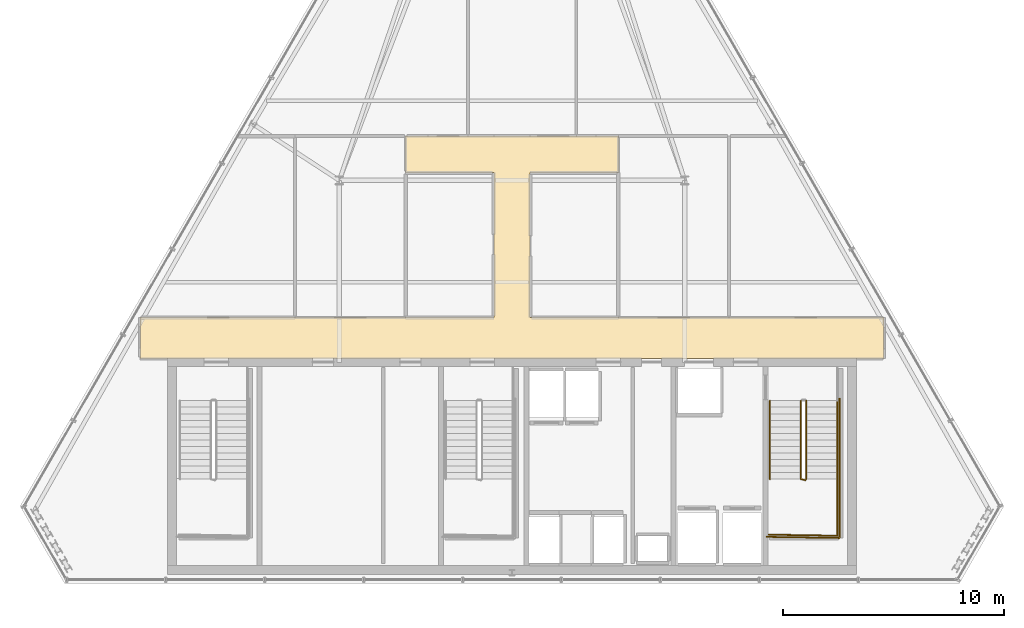
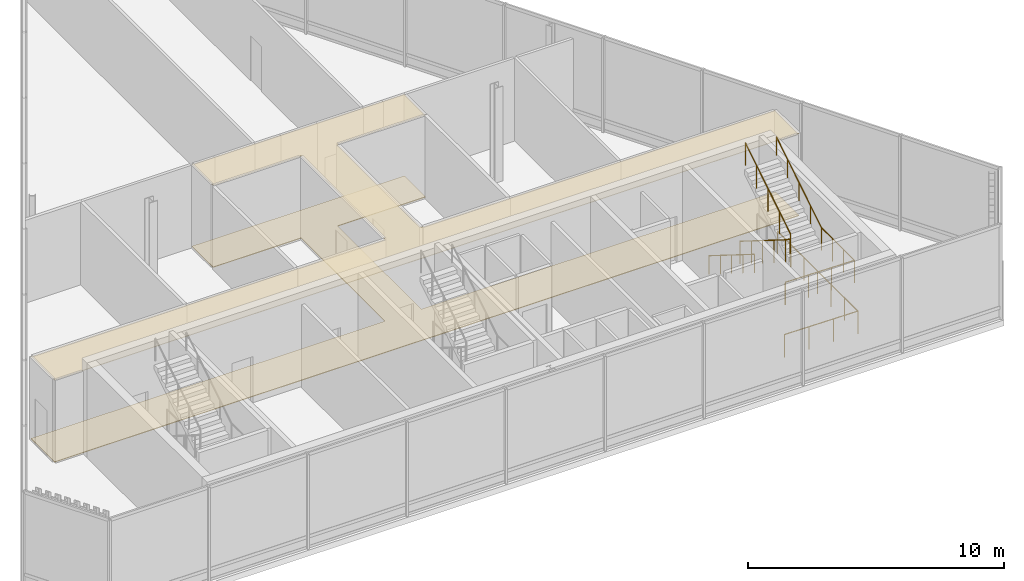
# One storey, part 24 of 25: 6 railings, 2 coverings.
"""IFC4 building model written with IfcOpenShell, lengths in metres."""

from ifc_helpers import new_model, si_unit, direction, frame, origin, origin_2d, place, context, subcontext, project, spatial, polyline, circle, outline, extrude, material, layer, layer_set, type_object, element, save


model = new_model("IFC4")

# Units and contexts
model_context = context("Model", 3, precision=1e-05, world=origin(), true_north=direction((0.0, 1.0)))
body_context = subcontext(model_context, "Body", "Model", "MODEL_VIEW")
ifc_project = project(units=[si_unit("LENGTHUNIT", "METRE"), si_unit("AREAUNIT", "SQUARE_METRE"), si_unit("VOLUMEUNIT", "CUBIC_METRE"), si_unit("PLANEANGLEUNIT", "RADIAN"), si_unit("MASSUNIT", "GRAM", prefix="KILO")], contexts=[model_context])

# Site, building, storey
site_placement = place(None, origin())
site = spatial("IfcSite", under=ifc_project, at=site_placement, CompositionType="ELEMENT")
building_placement = place(site_placement, origin())
building = spatial("IfcBuilding", under=site, at=building_placement, Name="Ndaravel Arena Tower", CompositionType="ELEMENT")
storey_placement = place(building_placement, frame((0.0, 0.0, 298.5)))
storey = spatial("IfcBuildingStorey", under=building, at=storey_placement, Name="L73", CompositionType="ELEMENT", Elevation=298.5)

# Coverings
ifc_material_1 = material(Name="Acoustic Ceiling Tile", Category="finish")
ifc_layer_1 = layer(ifc_material_1, 0.02490234375)
ifc_layer_set_1 = layer_set([ifc_layer_1], Name="Acoustic Ceiling Tile")
covering_type_1 = type_object("IfcCoveringType", Name="COV-CEIL-AC600", PredefinedType="CEILING", material=ifc_layer_set_1)
covering_1_placement = place(storey_placement, frame((0.0, 0.0, 3.92041015625)))
element("IfcCovering", 1, at=covering_1_placement, inside=storey, type_object=covering_type_1, Name="L73 Corridor Acoustic Ceiling", PredefinedType="CEILING", context=body_context, shape_type="SweptSolid", body=[
    extrude(outline(polyline([(58.80908203125, 17.0), (42.820068359375, 17.0), (42.820068359375, 23.550048828125), (46.800048828125, 23.550048828125), (46.800048828125, 25.199951171875), (42.820068359375, 25.199951171875), (41.179931640625, 25.199951171875), (37.199951171875, 25.199951171875), (37.199951171875, 23.550048828125), (41.179931640625, 23.550048828125), (41.179931640625, 17.0), (25.19091796875, 17.0), (25.19091796875, 15.14990234375), (58.80908203125, 15.14990234375), (58.80908203125, 17.0)])), origin(), (0.0, 0.0, 1.0), 0.025146484375),
])
ifc_material_2 = material(Name="Terrazzo", Category="stone")
ifc_layer_2 = layer(ifc_material_2, 0.030029296875)
ifc_layer_set_2 = layer_set([ifc_layer_2], Name="Terrazzo")
covering_type_2 = type_object("IfcCoveringType", Name="COV-FLOOR-TERRAZZO", PredefinedType="FLOORING", material=ifc_layer_set_2)
covering_2_placement = place(storey_placement, origin())
element("IfcCovering", 2, at=covering_2_placement, inside=storey, type_object=covering_type_2, Name="L73 Corridor Terrazzo Flooring", PredefinedType="FLOORING", context=body_context, shape_type="SweptSolid", body=[
    extrude(outline(polyline([(58.80908203125, 17.0), (42.820068359375, 17.0), (42.820068359375, 23.550048828125), (46.800048828125, 23.550048828125), (46.800048828125, 25.199951171875), (42.820068359375, 25.199951171875), (41.179931640625, 25.199951171875), (37.199951171875, 25.199951171875), (37.199951171875, 23.550048828125), (41.179931640625, 23.550048828125), (41.179931640625, 17.0), (25.19091796875, 17.0), (25.19091796875, 15.14990234375), (58.80908203125, 15.14990234375), (58.80908203125, 17.0)])), origin(), (0.0, 0.0, 1.0), 0.030029296875),
])

# Railings
ifc_material_3 = material(Name="Steel S355", Category="steel")
ifc_layer_3 = layer(ifc_material_3, 0.06005859375)
ifc_layer_set_3 = layer_set([ifc_layer_3], Name="Steel S355")
railing_type_1 = type_object("IfcRailingType", Name="RAIL-STAIR-GD1100", PredefinedType="GUARDRAIL", material=ifc_layer_set_3)
railing_1_placement = place(storey_placement, frame((55.050048828125, 13.25, 0.1845703125)))
element("IfcRailing", 3, at=railing_1_placement, inside=storey, type_object=railing_type_1, Name="L73 ST-3 stair guard 1", PredefinedType="GUARDRAIL", context=body_context, shape_type="SweptSolid", body=[
    extrude(circle(Radius=0.02392578125, at=origin_2d()), frame((0.0, 0.0, 1.076171875), z_axis=(0.0, -0.847696004112, 0.530482313194), x_axis=(1.0, 0.0, 0.0)), (0.0, 0.0, 1.0), 4.176025390625),
    extrude(circle(Radius=0.02392578125, at=origin_2d()), frame((0.0, -3.5400390625, 3.29150390625), z_axis=(0.966993988697, -0.254799187253, 0.0), x_axis=(0.254799187253, 0.966993988697, 0.0)), (0.0, 0.0, 1.0), 0.196533203125),
    extrude(circle(Radius=0.02099609375, at=origin_2d()), origin(), (0.0, 0.0, 1.0), 1.052001953125),
    extrude(circle(Radius=0.02099609375, at=origin_2d()), frame((0.0, -0.885009765625, 0.5537109375)), (0.0, 0.0, 1.0), 1.052001953125),
    extrude(circle(Radius=0.02099609375, at=origin_2d()), frame((0.0, -1.77001953125, 1.107666015625)), (0.0, 0.0, 1.0), 1.052001953125),
    extrude(circle(Radius=0.02099609375, at=origin_2d()), frame((0.0, -2.655029296875, 1.66162109375)), (0.0, 0.0, 1.0), 1.052001953125),
    extrude(circle(Radius=0.02099609375, at=origin_2d()), frame((0.0, -3.5400390625, 2.21533203125)), (0.0, 0.0, 1.0), 1.052001953125),
    extrude(circle(Radius=0.02099609375, at=origin_2d()), frame((0.18994140625, -3.590087890625, 2.21533203125)), (0.0, 0.0, 1.0), 1.052001953125),
])
railing_2_placement = place(storey_placement, frame((56.68994140625, 9.7099609375, 2.39990234375)))
element("IfcRailing", 4, at=railing_2_placement, inside=storey, type_object=railing_type_1, Name="L73 ST-3 stair guard 2", PredefinedType="GUARDRAIL", context=body_context, shape_type="SweptSolid", body=[
    extrude(circle(Radius=0.02392578125, at=origin_2d()), frame((0.0, 0.0, 1.076171875), z_axis=(0.0, -1.0, 0.0), x_axis=(1.0, 0.0, 0.0)), (0.0, 0.0, 1.0), 2.56005859375),
    extrude(circle(Radius=0.02392578125, at=origin_2d()), frame((0.0, -2.56005859375, 1.076171875), z_axis=(-0.999868840623, 0.016195726322, 0.0), x_axis=(-0.016195726322, -0.999868840623, 0.0)), (0.0, 0.0, 1.0), 3.09033203125),
    extrude(circle(Radius=0.02099609375, at=origin_2d()), origin(), (0.0, 0.0, 1.0), 1.052001953125),
    extrude(circle(Radius=0.02099609375, at=origin_2d()), frame((0.0, -0.853271484375, 0.0)), (0.0, 0.0, 1.0), 1.052001953125),
    extrude(circle(Radius=0.02099609375, at=origin_2d()), frame((0.0, -1.706787109375, 0.0)), (0.0, 0.0, 1.0), 1.052001953125),
    extrude(circle(Radius=0.02099609375, at=origin_2d()), frame((0.0, -2.56005859375, 0.0)), (0.0, 0.0, 1.0), 1.052001953125),
    extrude(circle(Radius=0.02099609375, at=origin_2d()), frame((-1.030029296875, -2.54345703125, 0.0)), (0.0, 0.0, 1.0), 1.052001953125),
    extrude(circle(Radius=0.02099609375, at=origin_2d()), frame((-2.059814453125, -2.526611328125, 0.0)), (0.0, 0.0, 1.0), 1.052001953125),
    extrude(circle(Radius=0.02099609375, at=origin_2d()), frame((-3.08984375, -2.510009765625, 0.0)), (0.0, 0.0, 1.0), 1.052001953125),
])
railing_3_placement = place(storey_placement, frame((55.2900390625, 9.7099609375, 2.584716796875)))
element("IfcRailing", 5, at=railing_3_placement, inside=storey, type_object=railing_type_1, Name="L73 ST-3 stair guard 3", PredefinedType="GUARDRAIL", context=body_context, shape_type="SweptSolid", body=[
    extrude(circle(Radius=0.02392578125, at=origin_2d()), frame((0.0, 0.0, 1.076171875), z_axis=(0.0, 0.847696004112, 0.530482313194), x_axis=(-1.0, 0.0, 0.0)), (0.0, 0.0, 1.0), 4.176025390625),
    extrude(circle(Radius=0.02099609375, at=origin_2d()), origin(), (0.0, 0.0, 1.0), 1.052001953125),
    extrude(circle(Radius=0.02099609375, at=origin_2d()), frame((0.0, 0.885009765625, 0.5537109375)), (0.0, 0.0, 1.0), 1.052001953125),
    extrude(circle(Radius=0.02099609375, at=origin_2d()), frame((0.0, 1.77001953125, 1.107666015625)), (0.0, 0.0, 1.0), 1.052001953125),
    extrude(circle(Radius=0.02099609375, at=origin_2d()), frame((0.0, 2.655029296875, 1.66162109375)), (0.0, 0.0, 1.0), 1.052001953125),
    extrude(circle(Radius=0.02099609375, at=origin_2d()), frame((0.0, 3.5400390625, 2.21533203125)), (0.0, 0.0, 1.0), 1.052001953125),
])
railing_4_placement = place(storey_placement, frame((56.7900390625, 13.35009765625, 0.0)))
element("IfcRailing", 6, at=railing_4_placement, inside=storey, type_object=railing_type_1, Name="L73 ST-3 stair guard 6", PredefinedType="GUARDRAIL", context=body_context, shape_type="SweptSolid", body=[
    extrude(circle(Radius=0.02392578125, at=origin_2d()), frame((0.0, 0.0, 1.076171875), z_axis=(0.0, -1.0, 0.0), x_axis=(1.0, 0.0, 0.0)), (0.0, 0.0, 1.0), 6.300048828125),
    extrude(circle(Radius=0.02392578125, at=origin_2d()), frame((0.0, -6.300048828125, 1.076171875), z_axis=(-0.99988431412, 0.015210469308, 0.0), x_axis=(-0.015210469308, -0.99988431412, 0.0)), (0.0, 0.0, 1.0), 3.29052734375),
    extrude(circle(Radius=0.02099609375, at=origin_2d()), origin(), (0.0, 0.0, 1.0), 1.052001953125),
    extrude(circle(Radius=0.02099609375, at=origin_2d()), frame((0.0, -1.050048828125, 0.0)), (0.0, 0.0, 1.0), 1.052001953125),
    extrude(circle(Radius=0.02099609375, at=origin_2d()), frame((0.0, -2.10009765625, 0.0)), (0.0, 0.0, 1.0), 1.052001953125),
    extrude(circle(Radius=0.02099609375, at=origin_2d()), frame((0.0, -3.14990234375, 0.0)), (0.0, 0.0, 1.0), 1.052001953125),
    extrude(circle(Radius=0.02099609375, at=origin_2d()), frame((0.0, -4.199951171875, 0.0)), (0.0, 0.0, 1.0), 1.052001953125),
    extrude(circle(Radius=0.02099609375, at=origin_2d()), frame((0.0, -5.25, 0.0)), (0.0, 0.0, 1.0), 1.052001953125),
    extrude(circle(Radius=0.02099609375, at=origin_2d()), frame((0.0, -6.300048828125, 0.0)), (0.0, 0.0, 1.0), 1.052001953125),
    extrude(circle(Radius=0.02099609375, at=origin_2d()), frame((-1.0966796875, -6.283447265625, 0.0)), (0.0, 0.0, 1.0), 1.052001953125),
    extrude(circle(Radius=0.02099609375, at=origin_2d()), frame((-2.193359375, -6.2666015625, 0.0)), (0.0, 0.0, 1.0), 1.052001953125),
    extrude(circle(Radius=0.02099609375, at=origin_2d()), frame((-3.2900390625, -6.25, 0.0)), (0.0, 0.0, 1.0), 1.052001953125),
])
ifc_material_4 = material(Name="Steel S355", Category="steel")
ifc_layer_4 = layer(ifc_material_4, 0.050048828125)
ifc_layer_set_4 = layer_set([ifc_layer_4], Name="Steel S355")
railing_type_2 = type_object("IfcRailingType", Name="RAIL-STAIR-HR920", PredefinedType="HANDRAIL", material=ifc_layer_set_4)
railing_5_placement = place(storey_placement, frame((53.64990234375, 13.25, 0.1845703125)))
element("IfcRailing", 7, at=railing_5_placement, inside=storey, type_object=railing_type_2, Name="L73 ST-3 stair handrail 1", PredefinedType="HANDRAIL", context=body_context, shape_type="SweptSolid", body=[
    extrude(circle(Radius=0.02392578125, at=origin_2d()), frame((0.0, 0.0, 0.8759765625), z_axis=(0.0, -0.847696004112, 0.530482313194), x_axis=(1.0, 0.0, 0.0)), (0.0, 0.0, 1.0), 4.176025390625),
    extrude(circle(Radius=0.02099609375, at=origin_2d()), origin(), (0.0, 0.0, 1.0), 0.851806640625),
    extrude(circle(Radius=0.02099609375, at=origin_2d()), frame((0.0, -0.885009765625, 0.5537109375)), (0.0, 0.0, 1.0), 0.851806640625),
    extrude(circle(Radius=0.02099609375, at=origin_2d()), frame((0.0, -1.77001953125, 1.107666015625)), (0.0, 0.0, 1.0), 0.851806640625),
    extrude(circle(Radius=0.02099609375, at=origin_2d()), frame((0.0, -2.655029296875, 1.66162109375)), (0.0, 0.0, 1.0), 0.851806640625),
    extrude(circle(Radius=0.02099609375, at=origin_2d()), frame((0.0, -3.5400390625, 2.21533203125)), (0.0, 0.0, 1.0), 0.851806640625),
])
railing_6_placement = place(storey_placement, frame((56.68994140625, 9.7099609375, 2.584716796875)))
element("IfcRailing", 8, at=railing_6_placement, inside=storey, type_object=railing_type_2, Name="L73 ST-3 stair handrail 2", PredefinedType="HANDRAIL", context=body_context, shape_type="SweptSolid", body=[
    extrude(circle(Radius=0.02392578125, at=origin_2d()), frame((0.0, 0.0, 0.8759765625), z_axis=(0.0, 0.847696004112, 0.530482313194), x_axis=(-1.0, 0.0, 0.0)), (0.0, 0.0, 1.0), 4.176025390625),
    extrude(circle(Radius=0.02099609375, at=origin_2d()), origin(), (0.0, 0.0, 1.0), 0.851806640625),
    extrude(circle(Radius=0.02099609375, at=origin_2d()), frame((0.0, 0.885009765625, 0.5537109375)), (0.0, 0.0, 1.0), 0.851806640625),
    extrude(circle(Radius=0.02099609375, at=origin_2d()), frame((0.0, 1.77001953125, 1.107666015625)), (0.0, 0.0, 1.0), 0.851806640625),
    extrude(circle(Radius=0.02099609375, at=origin_2d()), frame((0.0, 2.655029296875, 1.66162109375)), (0.0, 0.0, 1.0), 0.851806640625),
    extrude(circle(Radius=0.02099609375, at=origin_2d()), frame((0.0, 3.5400390625, 2.21533203125)), (0.0, 0.0, 1.0), 0.851806640625),
])

save(model, "model.ifc")
